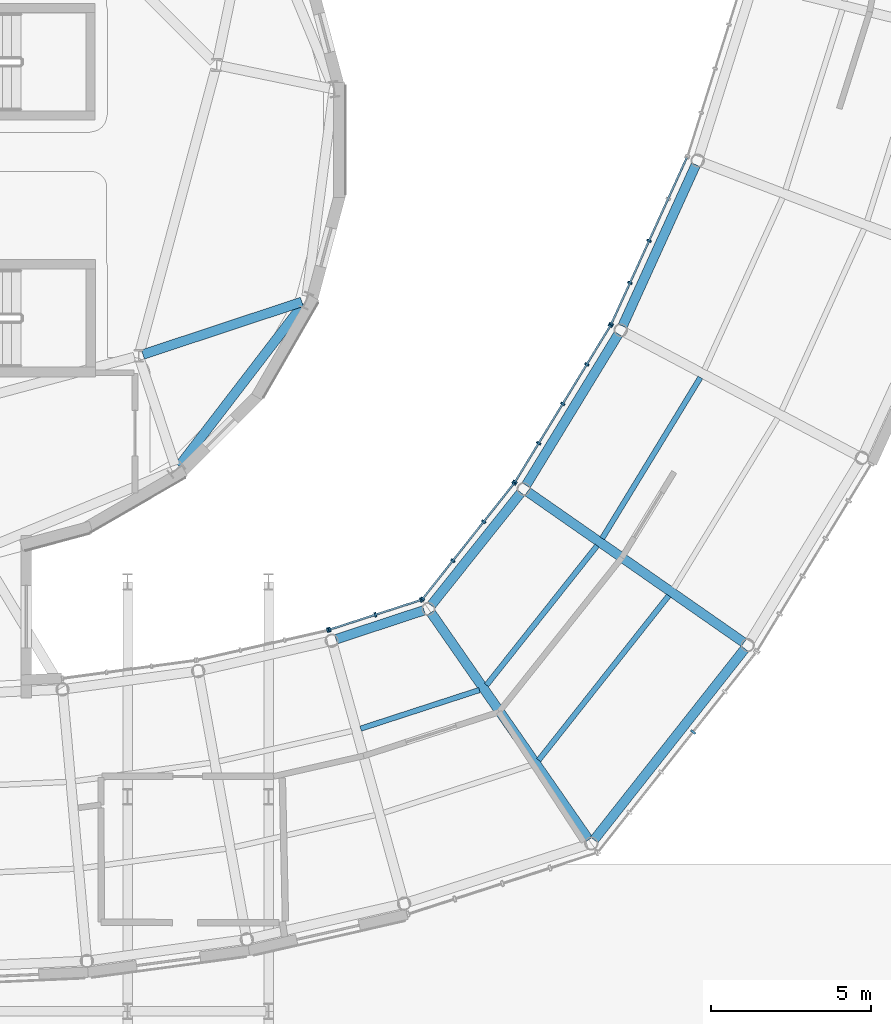
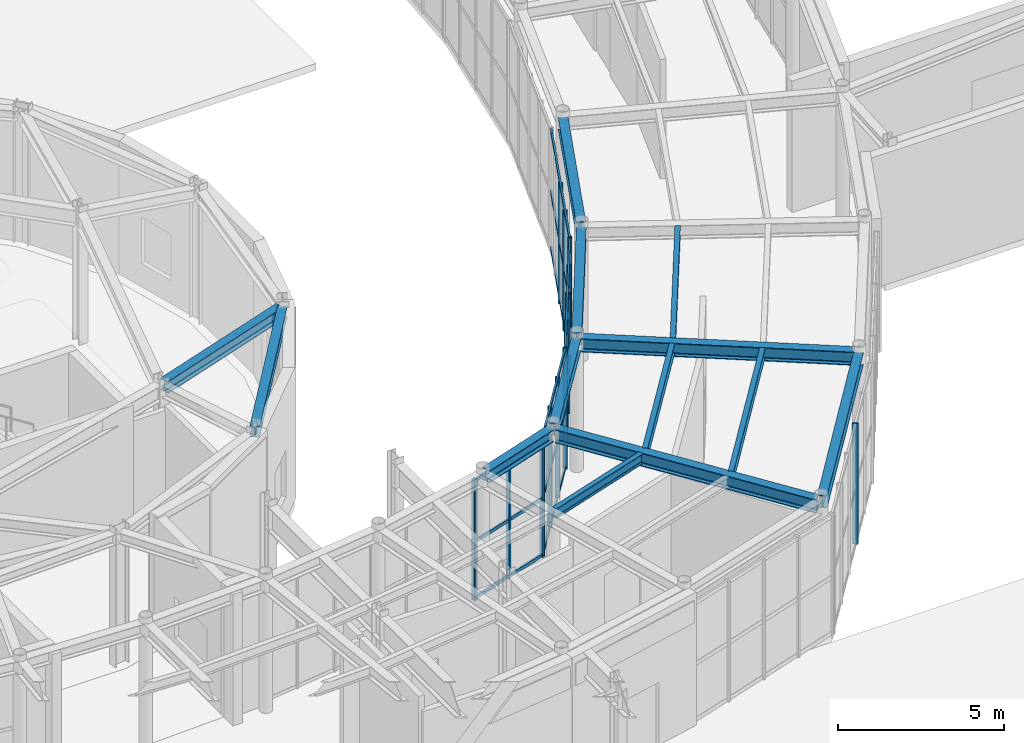
# One storey, part 29 of 97: 29 members, 13 beams, 6 elements without a shape of their own.
"""IFC4 building model written with IfcOpenShell, lengths in metres."""

from ifc_helpers import new_model, si_unit, direction, frame, origin, origin_2d, place, context, subcontext, project, spatial, rectangle, i_section, extrude, material, material_profile, profile_set, type_object, element, aggregate, save


model = new_model("IFC4")

# Units and contexts
model_context = context("Model", 3, precision=1e-05, world=origin(), true_north=direction((0.0, 1.0)))
body_context = subcontext(model_context, "Body", "Model", "MODEL_VIEW")
ifc_project = project(units=[si_unit("LENGTHUNIT", "METRE"), si_unit("AREAUNIT", "SQUARE_METRE"), si_unit("VOLUMEUNIT", "CUBIC_METRE"), si_unit("PLANEANGLEUNIT", "RADIAN"), si_unit("MASSUNIT", "GRAM", prefix="KILO")], contexts=[model_context])

# Site, building, storey
site_placement = place(None, origin())
site = spatial("IfcSite", under=ifc_project, at=site_placement, CompositionType="ELEMENT")
building_placement = place(site_placement, origin())
building = spatial("IfcBuilding", under=site, at=building_placement, Name="Varnklinge Art Gallery", CompositionType="ELEMENT")
storey_placement = place(building_placement, origin())
storey = spatial("IfcBuildingStorey", under=building, at=storey_placement, Name="L00", CompositionType="ELEMENT", Elevation=0.0)

# Beams
ifc_material_1 = material(Name="Steel S355", Category="steel")
ifc_material_profile_1 = material_profile(ifc_material_1, i_section(OverallWidth=0.300048828125, OverallDepth=0.489990234375, WebThickness=0.011962890625, FlangeThickness=0.02294921875, FilletRadius=0.027099609375, at=origin_2d()), Name="HEA 500")
ifc_profile_set_1 = profile_set([ifc_material_profile_1], Name="Steel S355")
beam_type_1 = type_object("IfcBeamType", Name="BM-07", PredefinedType="BEAM", material=ifc_profile_set_1)
beam_1_placement = place(storey_placement, frame((96.19091796875, 16.755126953125, 4.635009765625), z_axis=(-0.570588727281, 0.821235961402, 0.0), x_axis=(-0.821235961402, -0.570588727281, 0.0)))
element("IfcBeam", 1, at=beam_1_placement, inside=storey, type_object=beam_type_1, Name="L00 BM-07 BM-V2-L01-R01", PredefinedType="BEAM", context=body_context, shape_type="SweptSolid", body=[
    extrude(i_section(OverallWidth=0.300048828125, OverallDepth=0.489990234375, WebThickness=0.011962890625, FlangeThickness=0.02294921875, FilletRadius=0.027099609375, at=origin_2d()), origin(), (0.0, 0.0, 1.0), 8.6318359375),
])
beam_2_placement = place(storey_placement, frame((101.03515625, 22.9052734375, 4.635009765625), z_axis=(-0.820324852304, 0.571897837635, 0.0), x_axis=(-0.571897837635, -0.820324852304, 0.0)))
element("IfcBeam", 2, at=beam_2_placement, inside=storey, type_object=beam_type_1, Name="L00 BM-07 BM-V2-L01-R02", PredefinedType="BEAM", context=body_context, shape_type="SweptSolid", body=[
    extrude(i_section(OverallWidth=0.300048828125, OverallDepth=0.489990234375, WebThickness=0.011962890625, FlangeThickness=0.02294921875, FilletRadius=0.027099609375, at=origin_2d()), origin(), (0.0, 0.0, 1.0), 8.2373046875),
])
ifc_material_2 = material(Name="Steel S355", Category="steel")
ifc_material_profile_2 = material_profile(ifc_material_2, i_section(OverallWidth=0.300048828125, OverallDepth=0.43994140625, WebThickness=0.011474609375, FlangeThickness=0.02099609375, FilletRadius=0.027099609375, at=origin_2d()), Name="HEA 450")
ifc_profile_set_2 = profile_set([ifc_material_profile_2], Name="Steel S355")
beam_type_2 = type_object("IfcBeamType", Name="BM-08", PredefinedType="BEAM", material=ifc_profile_set_2)
beam_3_placement = place(storey_placement, frame((82.27978515625, 31.897216796875, 4.659912109375), z_axis=(0.949354152102, 0.314208042366, 0.0), x_axis=(-0.314208042366, 0.949354152102, 0.0)))
element("IfcBeam", 3, at=beam_3_placement, inside=storey, type_object=beam_type_2, Name="L00 BM-08 BM-V4D-L01-R12", PredefinedType="BEAM", context=body_context, shape_type="SweptSolid", body=[
    extrude(i_section(OverallWidth=0.300048828125, OverallDepth=0.43994140625, WebThickness=0.011474609375, FlangeThickness=0.02099609375, FilletRadius=0.027099609375, at=origin_2d()), origin(), (0.0, 0.0, 1.0), 5.223876953125),
])
ifc_material_3 = material(Name="Steel S355", Category="steel")
ifc_material_profile_3 = material_profile(ifc_material_3, i_section(OverallWidth=0.169921875, OverallDepth=0.360107421875, WebThickness=0.008056640625, FlangeThickness=0.0126953125, FilletRadius=0.01806640625, at=origin_2d()), Name="IPE 360")
ifc_profile_set_3 = profile_set([ifc_material_profile_3], Name="Steel S355")
beam_type_3 = type_object("IfcBeamType", Name="JST-06", PredefinedType="JOIST", material=ifc_profile_set_3)
beam_4_placement = place(storey_placement, frame((94.62890625, 19.23828125, 4.699951171875), z_axis=(0.620207823033, 0.784437541331, 0.0), x_axis=(-0.784437541331, 0.620207823033, 0.0)))
element("IfcBeam", 4, at=beam_4_placement, inside=storey, type_object=beam_type_3, Name="L00 JST-06 JST-V2-L01-01-1", PredefinedType="JOIST", context=body_context, shape_type="SweptSolid", body=[
    extrude(i_section(OverallWidth=0.169921875, OverallDepth=0.360107421875, WebThickness=0.008056640625, FlangeThickness=0.0126953125, FilletRadius=0.01806640625, at=origin_2d()), origin(), (0.0, 0.0, 1.0), 6.5439453125),
])
beam_5_placement = place(storey_placement, frame((93.001708984375, 21.580322265625, 4.699951171875), z_axis=(0.621380748712, 0.783508752427, 0.0), x_axis=(-0.783508752427, 0.621380748712, 0.0)))
element("IfcBeam", 5, at=beam_5_placement, inside=storey, type_object=beam_type_3, Name="L00 JST-06 JST-V2-L01-01-2", PredefinedType="JOIST", context=body_context, shape_type="SweptSolid", body=[
    extrude(i_section(OverallWidth=0.169921875, OverallDepth=0.360107421875, WebThickness=0.008056640625, FlangeThickness=0.0126953125, FilletRadius=0.01806640625, at=origin_2d()), origin(), (0.0, 0.0, 1.0), 5.552001953125),
])
beam_6_placement = place(storey_placement, frame((96.611572265625, 26.15966796875, 4.699951171875), z_axis=(0.520951279717, 0.853586412826, 0.0), x_axis=(-0.853586412826, 0.520951279717, 0.0)))
element("IfcBeam", 6, at=beam_6_placement, inside=storey, type_object=beam_type_3, Name="L00 JST-06 JST-V2-L01-02-2", PredefinedType="JOIST", context=body_context, shape_type="SweptSolid", body=[
    extrude(i_section(OverallWidth=0.169921875, OverallDepth=0.360107421875, WebThickness=0.008056640625, FlangeThickness=0.0126953125, FilletRadius=0.01806640625, at=origin_2d()), origin(), (0.0, 0.0, 1.0), 5.8818359375),
])
beam_7_placement = place(storey_placement, frame((89.072509765625, 20.220703125, 4.699951171875), z_axis=(0.950949393045, 0.309346491603, 0.0), x_axis=(-0.309346491603, 0.950949393045, 0.0)))
element("IfcBeam", 7, at=beam_7_placement, inside=storey, type_object=beam_type_3, Name="L00 JST-06 JST-V2-L01-40-2", PredefinedType="JOIST", context=body_context, shape_type="SweptSolid", body=[
    extrude(i_section(OverallWidth=0.169921875, OverallDepth=0.360107421875, WebThickness=0.008056640625, FlangeThickness=0.0126953125, FilletRadius=0.01806640625, at=origin_2d()), origin(), (0.0, 0.0, 1.0), 3.900390625),
])

# Curtain wall, member
ifc_material_4 = material(Name="Anodised Aluminium", Category="aluminium")
curtain_wall_type_1 = type_object("IfcCurtainWallType", Name="CW-R01", PredefinedType="USERDEFINED", material=ifc_material_4)
curtain_wall_1_placement = place(storey_placement, origin())
curtain_wall_1 = element("IfcCurtainWall", 8, at=curtain_wall_1_placement, inside=storey, type_object=curtain_wall_type_1, Name="L00 Curtain Wall CW-V2O-L00-01", ObjectType="UNITISED CURTAIN WALL", PredefinedType="USERDEFINED")
ifc_material_5 = material(Name="Anodised Aluminium", Category="aluminium")
ifc_material_profile_4 = material_profile(ifc_material_5, rectangle(XDim=0.06494140625, YDim=0.179931640625, at=origin_2d()), Name="ALU 65x180")
ifc_profile_set_4 = profile_set([ifc_material_profile_4], Name="Anodised Aluminium")
member_type_1 = type_object("IfcMemberType", Name="MUL-01", PredefinedType="MULLION", material=ifc_profile_set_4)
member_1_placement = place(storey_placement, frame((99.450439453125, 20.1162109375, 0.0), z_axis=(0.0, 0.0, 1.0), x_axis=(0.620737354217, 0.784018582101, 0.0)))
member_1 = element("IfcMember", 9, at=member_1_placement, type_object=member_type_1, Name="CW-V2O-L00-01 Mullion 4", PredefinedType="MULLION", context=body_context, shape_type="SweptSolid", body=[
    extrude(rectangle(XDim=0.06494140625, YDim=0.179931640625, at=origin_2d()), origin(), (0.0, 0.0, 1.0), 4.429931640625),
])
aggregate(curtain_wall_1, [member_1])

# Curtain wall, members
ifc_material_6 = material(Name="Anodised Aluminium", Category="aluminium")
curtain_wall_type_2 = type_object("IfcCurtainWallType", Name="CW-R03", PredefinedType="USERDEFINED", material=ifc_material_6)
curtain_wall_2_placement = place(storey_placement, origin())
curtain_wall_2 = element("IfcCurtainWall", 10, at=curtain_wall_2_placement, inside=storey, type_object=curtain_wall_type_2, Name="L00 Curtain Wall CW-V2I-L00-01", ObjectType="UNITISED CURTAIN WALL", PredefinedType="USERDEFINED")
ifc_material_7 = material(Name="Anodised Aluminium", Category="aluminium")
ifc_material_profile_5 = material_profile(ifc_material_7, rectangle(XDim=0.06005859375, YDim=0.139892578125, at=origin_2d()), Name="ALU 60x140")
ifc_profile_set_5 = profile_set([ifc_material_profile_5], Name="Anodised Aluminium")
member_type_2 = type_object("IfcMemberType", Name="MUL-03", PredefinedType="MULLION", material=ifc_profile_set_5)
member_2_placement = place(storey_placement, frame((93.857421875, 27.872802734375, 0.0), z_axis=(0.0, 0.0, 1.0), x_axis=(-0.620737354217, -0.784018582101, 0.0)))
member_2 = element("IfcMember", 11, at=member_2_placement, type_object=member_type_2, Name="CW-V2I-L00-01 Mullion 1", PredefinedType="MULLION", context=body_context, shape_type="SweptSolid", body=[
    extrude(rectangle(XDim=0.06005859375, YDim=0.139892578125, at=origin_2d()), origin(), (0.0, 0.0, 1.0), 4.429931640625),
])
member_3_placement = place(storey_placement, frame((92.91259765625, 26.6796875, 0.0), z_axis=(0.0, 0.0, 1.0), x_axis=(-0.620737354217, -0.784018582101, 0.0)))
member_3 = element("IfcMember", 12, at=member_3_placement, type_object=member_type_2, Name="CW-V2I-L00-01 Mullion 2", PredefinedType="MULLION", context=body_context, shape_type="SweptSolid", body=[
    extrude(rectangle(XDim=0.06005859375, YDim=0.139892578125, at=origin_2d()), origin(), (0.0, 0.0, 1.0), 4.429931640625),
])
member_4_placement = place(storey_placement, frame((91.94921875, 25.463134765625, 0.0), z_axis=(0.0, 0.0, 1.0), x_axis=(-0.620737354217, -0.784018582101, 0.0)))
member_4 = element("IfcMember", 13, at=member_4_placement, type_object=member_type_2, Name="CW-V2I-L00-01 Mullion 3", PredefinedType="MULLION", context=body_context, shape_type="SweptSolid", body=[
    extrude(rectangle(XDim=0.06005859375, YDim=0.139892578125, at=origin_2d()), origin(), (0.0, 0.0, 1.0), 4.429931640625),
])
member_5_placement = place(storey_placement, frame((91.004638671875, 24.27001953125, 0.0), z_axis=(0.0, 0.0, 1.0), x_axis=(-0.620737354217, -0.784018582101, 0.0)))
member_5 = element("IfcMember", 14, at=member_5_placement, type_object=member_type_2, Name="CW-V2I-L00-01 Mullion 4", PredefinedType="MULLION", context=body_context, shape_type="SweptSolid", body=[
    extrude(rectangle(XDim=0.06005859375, YDim=0.139892578125, at=origin_2d()), origin(), (0.0, 0.0, 1.0), 4.429931640625),
])

curtain_wall_3_placement = place(storey_placement, origin())
curtain_wall_3 = element("IfcCurtainWall", 15, at=curtain_wall_3_placement, inside=storey, type_object=curtain_wall_type_2, Name="L00 Curtain Wall CW-V2I-L00-02", ObjectType="UNITISED CURTAIN WALL", PredefinedType="USERDEFINED")
member_6_placement = place(storey_placement, frame((96.86474609375, 32.793701171875, 0.0), z_axis=(0.0, 0.0, 1.0), x_axis=(-0.520860651188, -0.85364171761, 0.0)))
member_6 = element("IfcMember", 16, at=member_6_placement, type_object=member_type_2, Name="CW-V2I-L00-02 Mullion 1", PredefinedType="MULLION", context=body_context, shape_type="SweptSolid", body=[
    extrude(rectangle(XDim=0.06005859375, YDim=0.139892578125, at=origin_2d()), origin(), (0.0, 0.0, 1.0), 4.429931640625),
])
member_7_placement = place(storey_placement, frame((96.129150390625, 31.58837890625, 0.0), z_axis=(0.0, 0.0, 1.0), x_axis=(-0.520860651188, -0.85364171761, 0.0)))
member_7 = element("IfcMember", 17, at=member_7_placement, type_object=member_type_2, Name="CW-V2I-L00-02 Mullion 2", PredefinedType="MULLION", context=body_context, shape_type="SweptSolid", body=[
    extrude(rectangle(XDim=0.06005859375, YDim=0.139892578125, at=origin_2d()), origin(), (0.0, 0.0, 1.0), 4.429931640625),
])
member_8_placement = place(storey_placement, frame((95.378173828125, 30.35791015625, 0.0), z_axis=(0.0, 0.0, 1.0), x_axis=(-0.520860651188, -0.85364171761, 0.0)))
member_8 = element("IfcMember", 18, at=member_8_placement, type_object=member_type_2, Name="CW-V2I-L00-02 Mullion 3", PredefinedType="MULLION", context=body_context, shape_type="SweptSolid", body=[
    extrude(rectangle(XDim=0.06005859375, YDim=0.139892578125, at=origin_2d()), origin(), (0.0, 0.0, 1.0), 4.429931640625),
])
member_9_placement = place(storey_placement, frame((94.627197265625, 29.127197265625, 0.0), z_axis=(0.0, 0.0, 1.0), x_axis=(-0.520860651188, -0.85364171761, 0.0)))
member_9 = element("IfcMember", 19, at=member_9_placement, type_object=member_type_2, Name="CW-V2I-L00-02 Mullion 4", PredefinedType="MULLION", context=body_context, shape_type="SweptSolid", body=[
    extrude(rectangle(XDim=0.06005859375, YDim=0.139892578125, at=origin_2d()), origin(), (0.0, 0.0, 1.0), 4.429931640625),
])
member_10_placement = place(storey_placement, frame((93.8916015625, 27.922119140625, 0.0), z_axis=(0.0, 0.0, 1.0), x_axis=(-0.520860651188, -0.85364171761, 0.0)))
member_10 = element("IfcMember", 20, at=member_10_placement, type_object=member_type_2, Name="CW-V2I-L00-02 Mullion 5", PredefinedType="MULLION", context=body_context, shape_type="SweptSolid", body=[
    extrude(rectangle(XDim=0.06005859375, YDim=0.139892578125, at=origin_2d()), origin(), (0.0, 0.0, 1.0), 4.429931640625),
])

curtain_wall_4_placement = place(storey_placement, origin())
curtain_wall_4 = element("IfcCurtainWall", 21, at=curtain_wall_4_placement, inside=storey, type_object=curtain_wall_type_2, Name="L00 Curtain Wall CW-V2I-L00-03", ObjectType="UNITISED CURTAIN WALL", PredefinedType="USERDEFINED")
member_11_placement = place(storey_placement, frame((98.072509765625, 35.44482421875, 0.0), z_axis=(0.0, 0.0, 1.0), x_axis=(-0.413422293217, -0.910539404678, 0.0)))
member_11 = element("IfcMember", 22, at=member_11_placement, type_object=member_type_2, Name="CW-V2I-L00-03 Mullion 3", PredefinedType="MULLION", context=body_context, shape_type="SweptSolid", body=[
    extrude(rectangle(XDim=0.06005859375, YDim=0.139892578125, at=origin_2d()), origin(), (0.0, 0.0, 1.0), 4.429931640625),
])
member_12_placement = place(storey_placement, frame((97.476318359375, 34.132080078125, 0.0), z_axis=(0.0, 0.0, 1.0), x_axis=(-0.413422293217, -0.910539404678, 0.0)))
member_12 = element("IfcMember", 23, at=member_12_placement, type_object=member_type_2, Name="CW-V2I-L00-03 Mullion 4", PredefinedType="MULLION", context=body_context, shape_type="SweptSolid", body=[
    extrude(rectangle(XDim=0.06005859375, YDim=0.139892578125, at=origin_2d()), origin(), (0.0, 0.0, 1.0), 4.429931640625),
])
member_13_placement = place(storey_placement, frame((96.892578125, 32.846435546875, 0.0), z_axis=(0.0, 0.0, 1.0), x_axis=(-0.413422293217, -0.910539404678, 0.0)))
member_13 = element("IfcMember", 24, at=member_13_placement, type_object=member_type_2, Name="CW-V2I-L00-03 Mullion 5", PredefinedType="MULLION", context=body_context, shape_type="SweptSolid", body=[
    extrude(rectangle(XDim=0.06005859375, YDim=0.139892578125, at=origin_2d()), origin(), (0.0, 0.0, 1.0), 4.429931640625),
])

# Curtain wall, member
curtain_wall_5_placement = place(storey_placement, origin())
curtain_wall_5 = element("IfcCurtainWall", 25, at=curtain_wall_5_placement, inside=storey, type_object=curtain_wall_type_2, Name="L00 Curtain Wall CW-V2I-L00-39", ObjectType="UNITISED CURTAIN WALL", PredefinedType="USERDEFINED")
member_14_placement = place(storey_placement, frame((88.04931640625, 23.297607421875, 0.0), z_axis=(0.0, 0.0, 1.0), x_axis=(-0.975071959883, -0.221888875454, 0.0)))
member_14 = element("IfcMember", 26, at=member_14_placement, type_object=member_type_2, Name="CW-V2I-L00-39 Mullion 1", PredefinedType="MULLION", context=body_context, shape_type="SweptSolid", body=[
    extrude(rectangle(XDim=0.06005859375, YDim=0.139892578125, at=origin_2d()), origin(), (0.0, 0.0, 1.0), 4.429931640625),
])
aggregate(curtain_wall_5, [member_14])

# Curtain wall, members
curtain_wall_6_placement = place(storey_placement, origin())
curtain_wall_6 = element("IfcCurtainWall", 27, at=curtain_wall_6_placement, inside=storey, type_object=curtain_wall_type_2, Name="L00 Curtain Wall CW-V2I-L00-40", ObjectType="UNITISED CURTAIN WALL", PredefinedType="USERDEFINED")
member_15_placement = place(storey_placement, frame((90.95751953125, 24.2373046875, 0.0), z_axis=(0.0, 0.0, 1.0), x_axis=(-0.951272019071, -0.30835295642, 0.0)))
member_15 = element("IfcMember", 28, at=member_15_placement, type_object=member_type_2, Name="CW-V2I-L00-40 Mullion 1", PredefinedType="MULLION", context=body_context, shape_type="SweptSolid", body=[
    extrude(rectangle(XDim=0.06005859375, YDim=0.139892578125, at=origin_2d()), origin(), (0.0, 0.0, 1.0), 4.429931640625),
])
member_16_placement = place(storey_placement, frame((89.5322265625, 23.775390625, 0.0), z_axis=(0.0, 0.0, 1.0), x_axis=(-0.951272019071, -0.30835295642, 0.0)))
member_16 = element("IfcMember", 29, at=member_16_placement, type_object=member_type_2, Name="CW-V2I-L00-40 Mullion 2", PredefinedType="MULLION", context=body_context, shape_type="SweptSolid", body=[
    extrude(rectangle(XDim=0.06005859375, YDim=0.139892578125, at=origin_2d()), origin(), (0.0, 0.0, 1.0), 4.429931640625),
])
member_17_placement = place(storey_placement, frame((88.107177734375, 23.3134765625, 0.0), z_axis=(0.0, 0.0, 1.0), x_axis=(-0.951272019071, -0.30835295642, 0.0)))
member_17 = element("IfcMember", 30, at=member_17_placement, type_object=member_type_2, Name="CW-V2I-L00-40 Mullion 3", PredefinedType="MULLION", context=body_context, shape_type="SweptSolid", body=[
    extrude(rectangle(XDim=0.06005859375, YDim=0.139892578125, at=origin_2d()), origin(), (0.0, 0.0, 1.0), 4.429931640625),
])

# Beams
ifc_material_8 = material(Name="Steel S355", Category="steel")
ifc_material_profile_6 = material_profile(ifc_material_8, i_section(OverallWidth=0.300048828125, OverallDepth=0.43994140625, WebThickness=0.011474609375, FlangeThickness=0.02099609375, FilletRadius=0.027099609375, at=origin_2d()), Name="HEA 450")
ifc_profile_set_6 = profile_set([ifc_material_profile_6], Name="Steel S355")
beam_type_4 = type_object("IfcBeamType", Name="SPB-02", PredefinedType="SPANDREL", material=ifc_profile_set_6)
beam_8_placement = place(storey_placement, frame((96.357666015625, 16.75, 4.659912109375), z_axis=(0.619327516232, 0.785132745233, 0.0), x_axis=(-0.785132745233, 0.619327516232, 0.0)))
element("IfcBeam", 31, at=beam_8_placement, inside=storey, type_object=beam_type_4, Name="L00 SPB-02 BM-V2-L01-O01", PredefinedType="SPANDREL", context=body_context, shape_type="SweptSolid", body=[
    extrude(i_section(OverallWidth=0.300048828125, OverallDepth=0.43994140625, WebThickness=0.011474609375, FlangeThickness=0.02099609375, FilletRadius=0.027099609375, at=origin_2d()), origin(), (0.0, 0.0, 1.0), 7.597900390625),
])
beam_9_placement = place(storey_placement, frame((91.27294921875, 24.068603515625, 4.659912109375), z_axis=(0.623138348458, 0.782111628018, 0.0), x_axis=(-0.782111628018, 0.623138348458, 0.0)))
element("IfcBeam", 32, at=beam_9_placement, inside=storey, type_object=beam_type_4, Name="L00 SPB-02 BM-V2-L01-I01", PredefinedType="SPANDREL", context=body_context, shape_type="SweptSolid", body=[
    extrude(i_section(OverallWidth=0.300048828125, OverallDepth=0.43994140625, WebThickness=0.011474609375, FlangeThickness=0.02099609375, FilletRadius=0.027099609375, at=origin_2d()), origin(), (0.0, 0.0, 1.0), 4.498046875),
])
beam_10_placement = place(storey_placement, frame((94.236083984375, 27.815673828125, 4.659912109375), z_axis=(0.520928443414, 0.853600349603, 0.0), x_axis=(-0.853600349603, 0.520928443414, 0.0)))
element("IfcBeam", 33, at=beam_10_placement, inside=storey, type_object=beam_type_4, Name="L00 SPB-02 BM-V2-L01-I02", PredefinedType="SPANDREL", context=body_context, shape_type="SweptSolid", body=[
    extrude(i_section(OverallWidth=0.300048828125, OverallDepth=0.43994140625, WebThickness=0.011474609375, FlangeThickness=0.02099609375, FilletRadius=0.027099609375, at=origin_2d()), origin(), (0.0, 0.0, 1.0), 5.52978515625),
])
beam_11_placement = place(storey_placement, frame((97.24755859375, 32.782958984375, 4.659912109375), z_axis=(0.413397065821, 0.910550858531, 0.0), x_axis=(-0.910550858531, 0.413397065821, 0.0)))
element("IfcBeam", 34, at=beam_11_placement, inside=storey, type_object=beam_type_4, Name="L00 SPB-02 BM-V2-L01-I03", PredefinedType="SPANDREL", context=body_context, shape_type="SweptSolid", body=[
    extrude(i_section(OverallWidth=0.300048828125, OverallDepth=0.43994140625, WebThickness=0.011474609375, FlangeThickness=0.02099609375, FilletRadius=0.027099609375, at=origin_2d()), origin(), (0.0, 0.0, 1.0), 5.529541015625),
])
beam_12_placement = place(storey_placement, frame((88.304443359375, 23.010498046875, 4.659912109375), z_axis=(0.94984963517, 0.312707004347, 0.0), x_axis=(-0.312707004347, 0.94984963517, 0.0)))
element("IfcBeam", 35, at=beam_12_placement, inside=storey, type_object=beam_type_4, Name="L00 SPB-02 BM-V2-L01-I40", PredefinedType="SPANDREL", context=body_context, shape_type="SweptSolid", body=[
    extrude(i_section(OverallWidth=0.300048828125, OverallDepth=0.43994140625, WebThickness=0.011474609375, FlangeThickness=0.02099609375, FilletRadius=0.027099609375, at=origin_2d()), origin(), (0.0, 0.0, 1.0), 2.893310546875),
])
ifc_material_9 = material(Name="Steel S355", Category="steel")
ifc_material_profile_7 = material_profile(ifc_material_9, i_section(OverallWidth=0.300048828125, OverallDepth=0.389892578125, WebThickness=0.010986328125, FlangeThickness=0.01904296875, FilletRadius=0.027099609375, at=origin_2d()), Name="HEA 400")
ifc_profile_set_7 = profile_set([ifc_material_profile_7], Name="Steel S355")
beam_type_5 = type_object("IfcBeamType", Name="SPB-03", PredefinedType="SPANDREL", material=ifc_profile_set_7)
beam_13_placement = place(storey_placement, frame((83.40771484375, 28.41650390625, 4.68505859375), z_axis=(0.608773359857, 0.793344185287, 0.0), x_axis=(-0.793344185287, 0.608773359857, 0.0)))
element("IfcBeam", 36, at=beam_13_placement, inside=storey, type_object=beam_type_5, Name="L00 SPB-03 BM-V4D-L01-P11", PredefinedType="SPANDREL", context=body_context, shape_type="SweptSolid", body=[
    extrude(i_section(OverallWidth=0.300048828125, OverallDepth=0.389892578125, WebThickness=0.010986328125, FlangeThickness=0.01904296875, FilletRadius=0.027099609375, at=origin_2d()), origin(), (0.0, 0.0, 1.0), 6.37158203125),
])

# Member
ifc_material_10 = material(Name="Anodised Aluminium", Category="aluminium")
ifc_material_profile_8 = material_profile(ifc_material_10, rectangle(XDim=0.06005859375, YDim=0.1201171875, at=origin_2d()), Name="ALU 60x120")
ifc_profile_set_8 = profile_set([ifc_material_profile_8], Name="Anodised Aluminium")
member_type_3 = type_object("IfcMemberType", Name="TRN-02", PredefinedType="USERDEFINED", material=ifc_profile_set_8)
member_18_placement = place(storey_placement, frame((93.857421875, 27.872802734375, 0.06005859375), z_axis=(-0.620780504553, -0.783984416405, 0.0), x_axis=(0.783984416405, -0.620780504553, 0.0)))
member_18 = element("IfcMember", 37, at=member_18_placement, type_object=member_type_3, Name="CW-V2I-L00-01 Transom 1", ObjectType="TRANSOM", PredefinedType="USERDEFINED", context=body_context, shape_type="SweptSolid", body=[
    extrude(rectangle(XDim=0.06005859375, YDim=0.1201171875, at=origin_2d()), origin(), (0.0, 0.0, 1.0), 4.595458984375),
])

member_19_placement = place(storey_placement, frame((93.857421875, 27.872802734375, 2.12646484375), z_axis=(-0.620780504553, -0.783984416405, 0.0), x_axis=(0.783984416405, -0.620780504553, 0.0)))
member_19 = element("IfcMember", 38, at=member_19_placement, type_object=member_type_3, Name="CW-V2I-L00-01 Transom 2", ObjectType="TRANSOM", PredefinedType="USERDEFINED", context=body_context, shape_type="SweptSolid", body=[
    extrude(rectangle(XDim=0.06005859375, YDim=0.1201171875, at=origin_2d()), origin(), (0.0, 0.0, 1.0), 4.595458984375),
])

member_20_placement = place(storey_placement, frame((93.857421875, 27.872802734375, 4.3701171875), z_axis=(-0.620780504553, -0.783984416405, 0.0), x_axis=(0.783984416405, -0.620780504553, 0.0)))
member_20 = element("IfcMember", 39, at=member_20_placement, type_object=member_type_3, Name="CW-V2I-L00-01 Transom 3", ObjectType="TRANSOM", PredefinedType="USERDEFINED", context=body_context, shape_type="SweptSolid", body=[
    extrude(rectangle(XDim=0.06005859375, YDim=0.1201171875, at=origin_2d()), origin(), (0.0, 0.0, 1.0), 4.595458984375),
])

aggregate(curtain_wall_2, [member_2, member_3, member_4, member_5, member_18, member_19, member_20])

member_21_placement = place(storey_placement, frame((96.86474609375, 32.793701171875, 0.06005859375), z_axis=(-0.520948121202, -0.853588340488, 0.0), x_axis=(0.853588340488, -0.520948121202, 0.0)))
member_21 = element("IfcMember", 40, at=member_21_placement, type_object=member_type_3, Name="CW-V2I-L00-02 Transom 1", ObjectType="TRANSOM", PredefinedType="USERDEFINED", context=body_context, shape_type="SweptSolid", body=[
    extrude(rectangle(XDim=0.06005859375, YDim=0.1201171875, at=origin_2d()), origin(), (0.0, 0.0, 1.0), 5.707275390625),
])

member_22_placement = place(storey_placement, frame((96.86474609375, 32.793701171875, 2.12646484375), z_axis=(-0.520948121202, -0.853588340488, 0.0), x_axis=(0.853588340488, -0.520948121202, 0.0)))
member_22 = element("IfcMember", 41, at=member_22_placement, type_object=member_type_3, Name="CW-V2I-L00-02 Transom 2", ObjectType="TRANSOM", PredefinedType="USERDEFINED", context=body_context, shape_type="SweptSolid", body=[
    extrude(rectangle(XDim=0.06005859375, YDim=0.1201171875, at=origin_2d()), origin(), (0.0, 0.0, 1.0), 5.707275390625),
])

member_23_placement = place(storey_placement, frame((96.86474609375, 32.793701171875, 4.3701171875), z_axis=(-0.520948121202, -0.853588340488, 0.0), x_axis=(0.853588340488, -0.520948121202, 0.0)))
member_23 = element("IfcMember", 42, at=member_23_placement, type_object=member_type_3, Name="CW-V2I-L00-02 Transom 3", ObjectType="TRANSOM", PredefinedType="USERDEFINED", context=body_context, shape_type="SweptSolid", body=[
    extrude(rectangle(XDim=0.06005859375, YDim=0.1201171875, at=origin_2d()), origin(), (0.0, 0.0, 1.0), 5.707275390625),
])

aggregate(curtain_wall_3, [member_6, member_7, member_8, member_9, member_10, member_21, member_22, member_23])

member_24_placement = place(storey_placement, frame((99.251953125, 38.043212890625, 0.06005859375), z_axis=(-0.413396814736, -0.910550972525, 0.0), x_axis=(0.910550972525, -0.413396814736, 0.0)))
member_24 = element("IfcMember", 43, at=member_24_placement, type_object=member_type_3, Name="CW-V2I-L00-03 Transom 1", ObjectType="TRANSOM", PredefinedType="USERDEFINED", context=body_context, shape_type="SweptSolid", body=[
    extrude(rectangle(XDim=0.06005859375, YDim=0.1201171875, at=origin_2d()), origin(), (0.0, 0.0, 1.0), 5.707275390625),
])

member_25_placement = place(storey_placement, frame((99.251953125, 38.043212890625, 2.12646484375), z_axis=(-0.413396814736, -0.910550972525, 0.0), x_axis=(0.910550972525, -0.413396814736, 0.0)))
member_25 = element("IfcMember", 44, at=member_25_placement, type_object=member_type_3, Name="CW-V2I-L00-03 Transom 2", ObjectType="TRANSOM", PredefinedType="USERDEFINED", context=body_context, shape_type="SweptSolid", body=[
    extrude(rectangle(XDim=0.06005859375, YDim=0.1201171875, at=origin_2d()), origin(), (0.0, 0.0, 1.0), 5.707275390625),
])

member_26_placement = place(storey_placement, frame((99.251953125, 38.043212890625, 4.3701171875), z_axis=(-0.413396814736, -0.910550972525, 0.0), x_axis=(0.910550972525, -0.413396814736, 0.0)))
member_26 = element("IfcMember", 45, at=member_26_placement, type_object=member_type_3, Name="CW-V2I-L00-03 Transom 3", ObjectType="TRANSOM", PredefinedType="USERDEFINED", context=body_context, shape_type="SweptSolid", body=[
    extrude(rectangle(XDim=0.06005859375, YDim=0.1201171875, at=origin_2d()), origin(), (0.0, 0.0, 1.0), 5.707275390625),
])

aggregate(curtain_wall_4, [member_11, member_12, member_13, member_24, member_25, member_26])

member_27_placement = place(storey_placement, frame((90.95751953125, 24.2373046875, 0.06005859375), z_axis=(-0.9512822555, -0.308321375144, 0.0), x_axis=(0.308321375144, -0.9512822555, 0.0)))
member_27 = element("IfcMember", 46, at=member_27_placement, type_object=member_type_3, Name="CW-V2I-L00-40 Transom 1", ObjectType="TRANSOM", PredefinedType="USERDEFINED", context=body_context, shape_type="SweptSolid", body=[
    extrude(rectangle(XDim=0.06005859375, YDim=0.1201171875, at=origin_2d()), origin(), (0.0, 0.0, 1.0), 2.996337890625),
])

member_28_placement = place(storey_placement, frame((90.95751953125, 24.2373046875, 2.12646484375), z_axis=(-0.9512822555, -0.308321375144, 0.0), x_axis=(0.308321375144, -0.9512822555, 0.0)))
member_28 = element("IfcMember", 47, at=member_28_placement, type_object=member_type_3, Name="CW-V2I-L00-40 Transom 2", ObjectType="TRANSOM", PredefinedType="USERDEFINED", context=body_context, shape_type="SweptSolid", body=[
    extrude(rectangle(XDim=0.06005859375, YDim=0.1201171875, at=origin_2d()), origin(), (0.0, 0.0, 1.0), 2.996337890625),
])

member_29_placement = place(storey_placement, frame((90.95751953125, 24.2373046875, 4.3701171875), z_axis=(-0.9512822555, -0.308321375144, 0.0), x_axis=(0.308321375144, -0.9512822555, 0.0)))
member_29 = element("IfcMember", 48, at=member_29_placement, type_object=member_type_3, Name="CW-V2I-L00-40 Transom 3", ObjectType="TRANSOM", PredefinedType="USERDEFINED", context=body_context, shape_type="SweptSolid", body=[
    extrude(rectangle(XDim=0.06005859375, YDim=0.1201171875, at=origin_2d()), origin(), (0.0, 0.0, 1.0), 2.996337890625),
])

aggregate(curtain_wall_6, [member_15, member_16, member_17, member_27, member_28, member_29])

save(model, "model.ifc")
